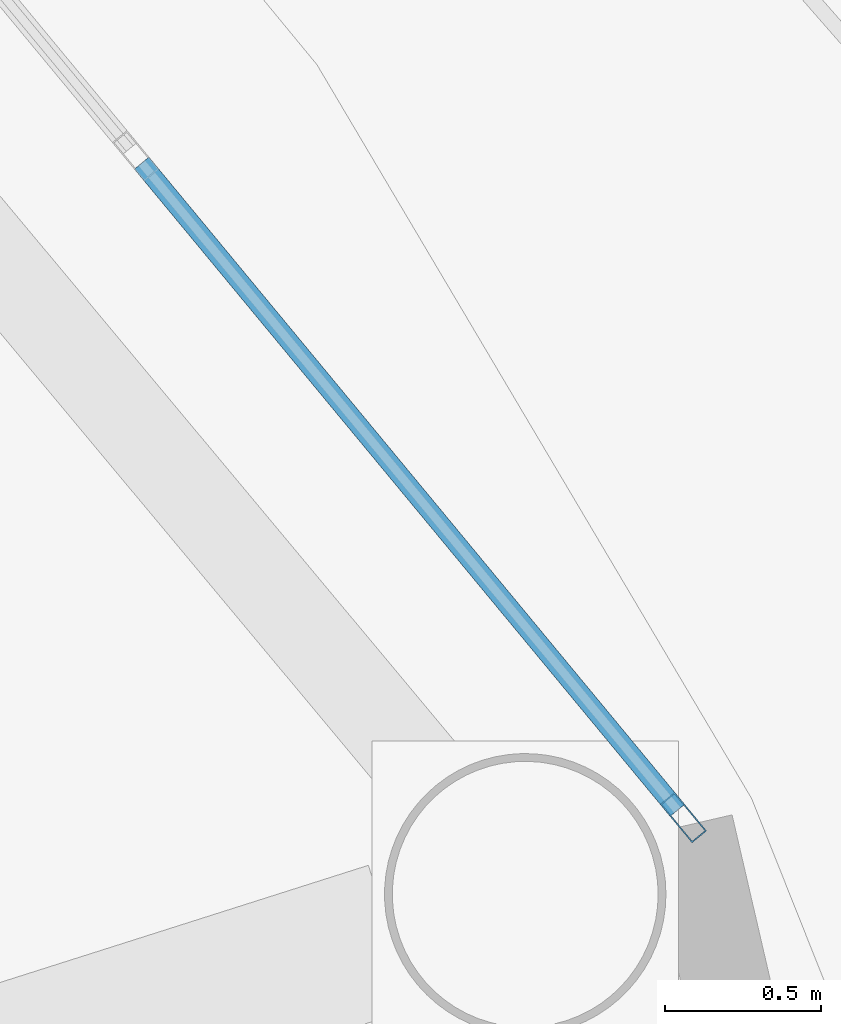
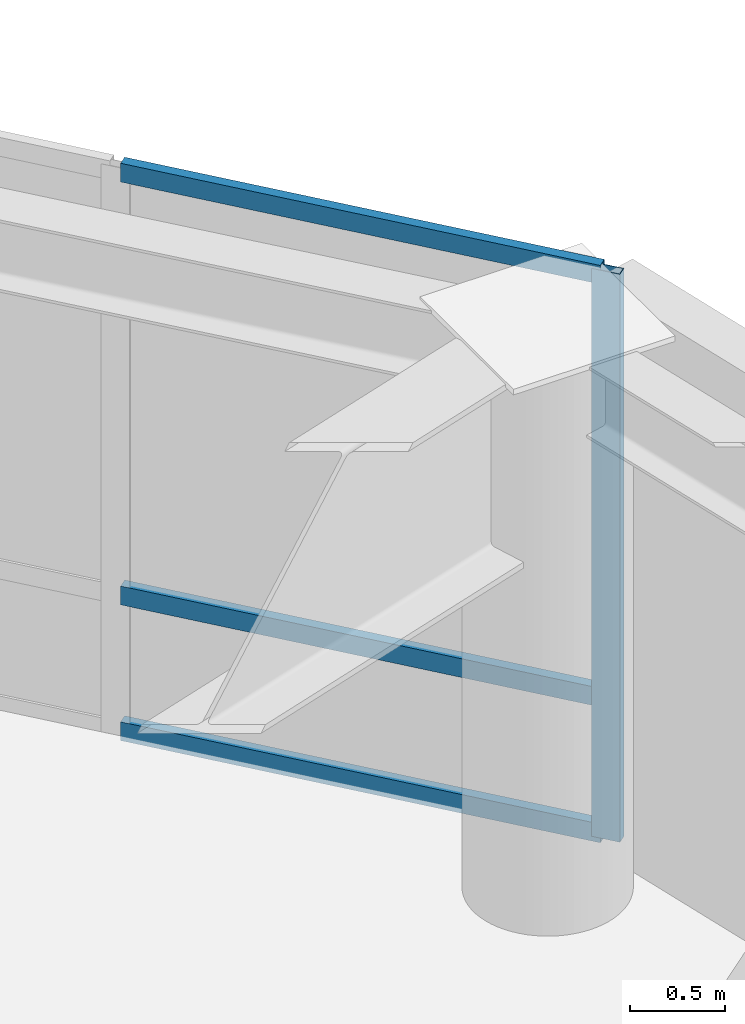
# One storey, part 11 of 24: 4 members, 1 element without a shape of its own.
"""IFC4 building model written with IfcOpenShell, lengths in metres."""

from ifc_helpers import new_model, si_unit, direction, frame, origin, origin_2d, place, context, subcontext, project, spatial, hollow_rectangle, extrude, material, layer, layer_set, material_profile, profile_set, type_object, element, aggregate, save


model = new_model("IFC4")

# Units and contexts
model_context = context("Model", 3, precision=1e-05, world=origin(), true_north=direction((0.0, 1.0)))
body_context = subcontext(model_context, "Body", "Model", "MODEL_VIEW")
ifc_project = project(units=[si_unit("LENGTHUNIT", "METRE"), si_unit("AREAUNIT", "SQUARE_METRE"), si_unit("VOLUMEUNIT", "CUBIC_METRE"), si_unit("PLANEANGLEUNIT", "RADIAN"), si_unit("MASSUNIT", "GRAM", prefix="KILO")], contexts=[model_context])

# Site, building, storey
site_placement = place(None, origin())
site = spatial("IfcSite", under=ifc_project, at=site_placement, CompositionType="ELEMENT")
building_placement = place(site_placement, origin())
building = spatial("IfcBuilding", under=site, at=building_placement, Name="Sarneth Arch Tower", CompositionType="ELEMENT")
storey_placement = place(building_placement, frame((0.0, 0.0, 312.60009765625)))
storey = spatial("IfcBuildingStorey", under=building, at=storey_placement, Name="L81", CompositionType="ELEMENT", Elevation=312.60009765625)

# Curtain wall, members
ifc_material_1 = material(Name="Anodised aluminium Type AA25 and solar-control low-e laminated IGU", Category="aluminium")
ifc_layer = layer(ifc_material_1, 0.179931640625)
ifc_layer_set = layer_set([ifc_layer], Name="Anodised aluminium Type AA25 and solar-control low-e laminated IGU")
curtain_wall_type = type_object("IfcCurtainWallType", Name="CW-RES-HIGH", PredefinedType="NOTDEFINED", material=ifc_layer_set)
curtain_wall_placement = place(storey_placement, origin())
curtain_wall = element("IfcCurtainWall", 1, at=curtain_wall_placement, inside=storey, type_object=curtain_wall_type, Name="L81 Unitised curtain wall facet 02", PredefinedType="NOTDEFINED")
ifc_material_2 = material(Name="Anodised Aluminium 6063-T6", Category="aluminium")
ifc_material_profile_1 = material_profile(ifc_material_2, hollow_rectangle(XDim=0.06005859375, YDim=0.159912109375, WallThickness=0.00390625, at=origin_2d()), Name="AL-MULL-160x60x4")
ifc_profile_set_1 = profile_set([ifc_material_profile_1], Name="Anodised Aluminium 6063-T6")
member_type_1 = type_object("IfcMemberType", Name="CW-MULLION", PredefinedType="MULLION", material=ifc_profile_set_1)
member_1_placement = place(storey_placement, frame((71.674560546875, 49.592529296875, 0.0), z_axis=(0.0, 0.0, 1.0), x_axis=(-0.770359245933, -0.637610094184, 0.0)))
member_1 = element("IfcMember", 2, at=member_1_placement, type_object=member_type_1, Name="CW-SYS-6 mullion 1", PredefinedType="MULLION", context=body_context, shape_type="SweptSolid", body=[
    extrude(hollow_rectangle(XDim=0.06005859375, YDim=0.159912109375, WallThickness=0.00390625, at=origin_2d()), origin(), (0.0, 0.0, 1.0), 3.639892578125),
])
ifc_material_3 = material(Name="Anodised Aluminium 6063-T6", Category="aluminium")
ifc_material_profile_2 = material_profile(ifc_material_3, hollow_rectangle(XDim=0.06005859375, YDim=0.1201171875, WallThickness=0.00390625, at=origin_2d()), Name="AL-TRAN-120x60x4")
ifc_profile_set_2 = profile_set([ifc_material_profile_2], Name="Anodised Aluminium 6063-T6")
member_type_2 = type_object("IfcMemberType", Name="CW-TRANSOM", PredefinedType="USERDEFINED", material=ifc_profile_set_2)
member_2_placement = place(storey_placement, frame((71.655517578125, 49.61572265625, 0.02978515625), z_axis=(-0.637651400067, 0.770325056059, 0.0), x_axis=(-0.770325056059, -0.637651400067, 0.0)))
member_2 = element("IfcMember", 3, at=member_2_placement, type_object=member_type_2, Name="CW-SYS-6 transom 1.1", ObjectType="TRANSOM", PredefinedType="USERDEFINED", context=body_context, shape_type="SweptSolid", body=[
    extrude(hollow_rectangle(XDim=0.06005859375, YDim=0.1201171875, WallThickness=0.00390625, at=origin_2d()), origin(), (0.0, 0.0, 1.0), 2.6865234375),
])
member_3_placement = place(storey_placement, frame((71.655517578125, 49.61572265625, 0.89990234375), z_axis=(-0.637651400067, 0.770325056059, 0.0), x_axis=(-0.770325056059, -0.637651400067, 0.0)))
member_3 = element("IfcMember", 4, at=member_3_placement, type_object=member_type_2, Name="CW-SYS-6 transom 1.2", ObjectType="TRANSOM", PredefinedType="USERDEFINED", context=body_context, shape_type="SweptSolid", body=[
    extrude(hollow_rectangle(XDim=0.06005859375, YDim=0.1201171875, WallThickness=0.00390625, at=origin_2d()), origin(), (0.0, 0.0, 1.0), 2.6865234375),
])
member_4_placement = place(storey_placement, frame((71.655517578125, 49.61572265625, 3.60986328125), z_axis=(-0.637651400067, 0.770325056059, 0.0), x_axis=(-0.770325056059, -0.637651400067, 0.0)))
member_4 = element("IfcMember", 5, at=member_4_placement, type_object=member_type_2, Name="CW-SYS-6 transom 1.3", ObjectType="TRANSOM", PredefinedType="USERDEFINED", context=body_context, shape_type="SweptSolid", body=[
    extrude(hollow_rectangle(XDim=0.06005859375, YDim=0.1201171875, WallThickness=0.00390625, at=origin_2d()), origin(), (0.0, 0.0, 1.0), 2.6865234375),
])
aggregate(curtain_wall, [member_1, member_2, member_3, member_4])

save(model, "model.ifc")
